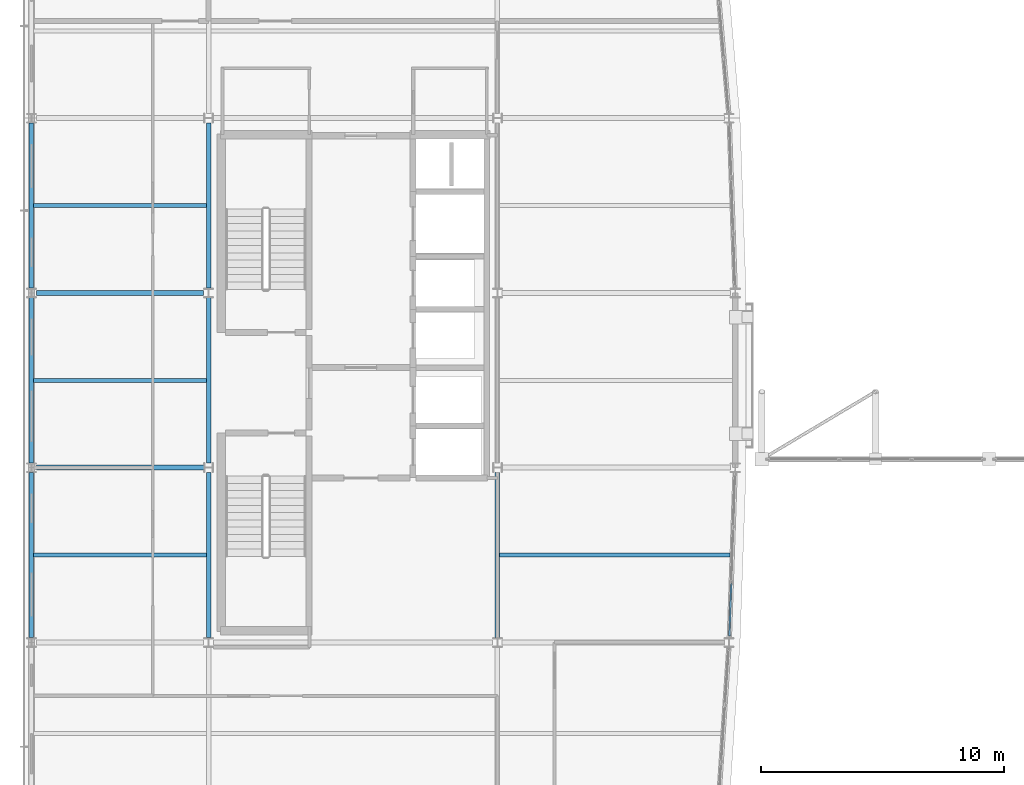
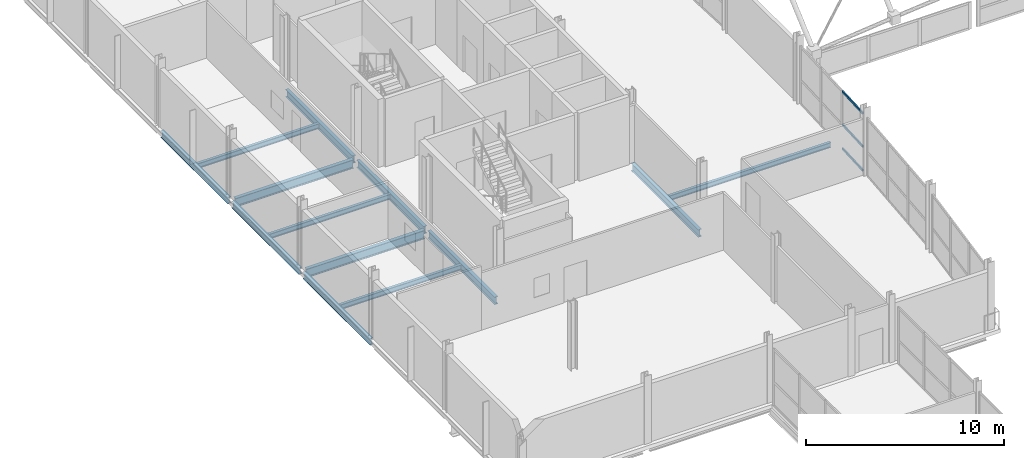
# One storey, part 24 of 60: 13 beams, 3 members, 1 element without a shape of its own.
"""IFC4 building model written with IfcOpenShell, lengths in metres."""

from ifc_helpers import new_model, si_unit, direction, frame, origin, origin_2d, place, context, subcontext, project, spatial, hollow_rectangle, i_section, extrude, material, layer, layer_set, material_profile, profile_set, type_object, element, aggregate, save


model = new_model("IFC4")

# Units and contexts
model_context = context("Model", 3, precision=1e-05, world=origin(), true_north=direction((0.0, 1.0)))
body_context = subcontext(model_context, "Body", "Model", "MODEL_VIEW")
ifc_project = project(units=[si_unit("LENGTHUNIT", "METRE"), si_unit("AREAUNIT", "SQUARE_METRE"), si_unit("VOLUMEUNIT", "CUBIC_METRE"), si_unit("PLANEANGLEUNIT", "RADIAN"), si_unit("MASSUNIT", "GRAM", prefix="KILO")], contexts=[model_context])

# Site, building, storey
site_placement = place(None, origin())
site = spatial("IfcSite", under=ifc_project, at=site_placement, CompositionType="ELEMENT")
building_placement = place(site_placement, origin())
building = spatial("IfcBuilding", under=site, at=building_placement, Name="Quillay Park Conservatory", CompositionType="ELEMENT")
storey_placement = place(building_placement, frame((0.0, 0.0, 9.89990234375)))
storey = spatial("IfcBuildingStorey", under=building, at=storey_placement, Name="L02", CompositionType="ELEMENT", Elevation=9.89990234375)

# Beams
ifc_material_1 = material(Name="Steel ASTM A992 Grade 50", Category="steel")
ifc_material_profile_1 = material_profile(ifc_material_1, i_section(OverallWidth=0.166015625, OverallDepth=0.31298828125, WebThickness=0.006591796875, FlangeThickness=0.01123046875, FilletRadius=0.010009765625, at=origin_2d()), Name="W310x45")
ifc_profile_set_1 = profile_set([ifc_material_profile_1], Name="Steel ASTM A992 Grade 50")
beam_type_1 = type_object("IfcBeamType", Name="COMPOSITE FLOOR JOIST W310 X45", PredefinedType="JOIST", material=ifc_profile_set_1)
beam_1_placement = place(storey_placement, frame((0.639892578125, 81.60009765625, -0.386474609375), z_axis=(1.0, 0.0, 0.0), x_axis=(0.0, 1.0, 0.0)))
element("IfcBeam", 1, at=beam_1_placement, inside=storey, type_object=beam_type_1, Name="L02 beam BM-J-0216", PredefinedType="JOIST", context=body_context, shape_type="SweptSolid", body=[
    extrude(i_section(OverallWidth=0.166015625, OverallDepth=0.31298828125, WebThickness=0.006591796875, FlangeThickness=0.01123046875, FilletRadius=0.010009765625, at=origin_2d()), origin(), (0.0, 0.0, 1.0), 7.114013671875),
])
beam_2_placement = place(storey_placement, frame((19.845947265625, 81.60009765625, -0.386474609375), z_axis=(1.0, 0.0, 0.0), x_axis=(0.0, 1.0, 0.0)))
element("IfcBeam", 2, at=beam_2_placement, inside=storey, type_object=beam_type_1, Name="L02 beam BM-J-0217", PredefinedType="JOIST", context=body_context, shape_type="SweptSolid", body=[
    extrude(i_section(OverallWidth=0.166015625, OverallDepth=0.31298828125, WebThickness=0.006591796875, FlangeThickness=0.01123046875, FilletRadius=0.010009765625, at=origin_2d()), origin(), (0.0, 0.0, 1.0), 9.489013671875),
])
for number, where, z_axis, x_axis, name in (
    (3, (0.639892578125, 88.800048828125, -0.386474609375), (1.0, 0.0, 0.0), (0.0, 1.0, 0.0), "L02 beam BM-J-0222"),
    (4, (0.639892578125, 96.0, -0.386474609375), (1.0, 0.0, 0.0), (0.0, 1.0, 0.0), "L02 beam BM-J-0228"),
):
    element("IfcBeam", number, at=place(storey_placement, frame(where, z_axis=z_axis, x_axis=x_axis)), inside=storey, type_object=beam_type_1, Name=name, PredefinedType="JOIST", context=body_context, shape_type="SweptSolid", body=[
        extrude(i_section(OverallWidth=0.166015625, OverallDepth=0.31298828125, WebThickness=0.006591796875, FlangeThickness=0.01123046875, FilletRadius=0.010009765625, at=origin_2d()), origin(), (0.0, 0.0, 1.0), 7.114013671875),
    ])

# Curtain wall, members
ifc_material_2 = material(Name="Thermally Broken Anodised Aluminium 6063-T6", Category="aluminium")
ifc_layer = layer(ifc_material_2, 0.179931640625)
ifc_layer_set = layer_set([ifc_layer], Name="UNITISED CURTAIN WALL TOWER (Thermally Broken Anodised Aluminium 6063-T6)")
curtain_wall_type = type_object("IfcCurtainWallType", Name="UNITISED CURTAIN WALL TOWER", PredefinedType="USERDEFINED", material=ifc_layer_set)
curtain_wall_placement = place(storey_placement, origin())
curtain_wall = element("IfcCurtainWall", 5, at=curtain_wall_placement, inside=storey, type_object=curtain_wall_type, Name="L02 Unitised Curtain Wall 021", ObjectType="UNITISED CURTAIN WALL", PredefinedType="USERDEFINED")
ifc_material_3 = material(Name="Thermally Broken Anodised Aluminium 6063-T6", Category="aluminium")
ifc_material_profile_2 = material_profile(ifc_material_3, hollow_rectangle(XDim=0.070068359375, YDim=0.1298828125, WallThickness=0.003173828125, at=origin_2d()), Name="AL70x130x3.2")
ifc_profile_set_2 = profile_set([ifc_material_profile_2], Name="Thermally Broken Anodised Aluminium 6063-T6")
member_type = type_object("IfcMemberType", Name="CURTAIN WALL TRANSOM 70 X130", PredefinedType="USERDEFINED", material=ifc_profile_set_2)
member_1_placement = place(storey_placement, frame((29.384521484375, 80.431640625, 0.03515625), z_axis=(-0.034761587249, -0.999395633396, 0.0), x_axis=(0.999395633396, -0.034761587249, 0.0)))
member_1 = element("IfcMember", 6, at=member_1_placement, type_object=member_type, Name="CW-T1 transom 3.1", ObjectType="TRANSOM", PredefinedType="USERDEFINED", context=body_context, shape_type="SweptSolid", body=[
    extrude(hollow_rectangle(XDim=0.070068359375, YDim=0.1298828125, WallThickness=0.003173828125, at=origin_2d()), origin(), (0.0, 0.0, 1.0), 2.1630859375),
])
member_2_placement = place(storey_placement, frame((29.384521484375, 80.431640625, 1.51171875), z_axis=(-0.034761587249, -0.999395633396, 0.0), x_axis=(0.999395633396, -0.034761587249, 0.0)))
member_2 = element("IfcMember", 7, at=member_2_placement, type_object=member_type, Name="CW-T1 transom 3.2", ObjectType="TRANSOM", PredefinedType="USERDEFINED", context=body_context, shape_type="SweptSolid", body=[
    extrude(hollow_rectangle(XDim=0.070068359375, YDim=0.1298828125, WallThickness=0.003173828125, at=origin_2d()), origin(), (0.0, 0.0, 1.0), 2.1630859375),
])
member_3_placement = place(storey_placement, frame((29.384521484375, 80.431640625, 3.564208984375), z_axis=(-0.034761587249, -0.999395633396, 0.0), x_axis=(0.999395633396, -0.034761587249, 0.0)))
member_3 = element("IfcMember", 8, at=member_3_placement, type_object=member_type, Name="CW-T1 transom 3.3", ObjectType="TRANSOM", PredefinedType="USERDEFINED", context=body_context, shape_type="SweptSolid", body=[
    extrude(hollow_rectangle(XDim=0.070068359375, YDim=0.1298828125, WallThickness=0.003173828125, at=origin_2d()), origin(), (0.0, 0.0, 1.0), 2.1630859375),
])
aggregate(curtain_wall, [member_1, member_2, member_3])

# Beams
ifc_material_4 = material(Name="Steel ASTM A992 Grade 50", Category="steel")
ifc_material_profile_3 = material_profile(ifc_material_4, i_section(OverallWidth=0.179931640625, OverallDepth=0.4130859375, WebThickness=0.009765625, FlangeThickness=0.01611328125, FilletRadius=0.011962890625, at=origin_2d()), Name="W410x74")
ifc_profile_set_3 = profile_set([ifc_material_profile_3], Name="Steel ASTM A992 Grade 50")
beam_type_2 = type_object("IfcBeamType", Name="PERIMETER SPANDREL BEAM W410 X74", PredefinedType="SPANDREL", material=ifc_profile_set_3)
beam_3_placement = place(storey_placement, frame((0.550048828125, 78.196533203125, -0.4365234375), z_axis=(0.0, 1.0, 0.0), x_axis=(-1.0, 0.0, 0.0)))
element("IfcBeam", 9, at=beam_3_placement, inside=storey, type_object=beam_type_2, Name="L02 beam BM-SPW-0212", PredefinedType="SPANDREL", context=body_context, shape_type="SweptSolid", body=[
    extrude(i_section(OverallWidth=0.179931640625, OverallDepth=0.4130859375, WebThickness=0.009765625, FlangeThickness=0.01611328125, FilletRadius=0.011962890625, at=origin_2d()), origin(), (0.0, 0.0, 1.0), 6.806884765625),
])
for number, where, z_axis, x_axis, name in (
    (10, (0.550048828125, 85.396484375, -0.4365234375), (0.0, 1.0, 0.0), (-1.0, 0.0, 0.0), "L02 beam BM-SPW-0218"),
    (11, (0.550048828125, 92.596435546875, -0.4365234375), (0.0, 1.0, 0.0), (-1.0, 0.0, 0.0), "L02 beam BM-SPW-0224"),
):
    element("IfcBeam", number, at=place(storey_placement, frame(where, z_axis=z_axis, x_axis=x_axis)), inside=storey, type_object=beam_type_2, Name=name, PredefinedType="SPANDREL", context=body_context, shape_type="SweptSolid", body=[
        extrude(i_section(OverallWidth=0.179931640625, OverallDepth=0.4130859375, WebThickness=0.009765625, FlangeThickness=0.01611328125, FilletRadius=0.011962890625, at=origin_2d()), origin(), (0.0, 0.0, 1.0), 6.80712890625),
    ])
ifc_material_5 = material(Name="Steel ASTM A992 Grade 50", Category="steel")
ifc_material_profile_4 = material_profile(ifc_material_5, i_section(OverallWidth=0.19189453125, OverallDepth=0.462890625, WebThickness=0.010498046875, FlangeThickness=0.017578125, FilletRadius=0.012939453125, at=origin_2d()), Name="W460x89")
ifc_profile_set_4 = profile_set([ifc_material_profile_4], Name="Steel ASTM A992 Grade 50")
beam_type_3 = type_object("IfcBeamType", Name="PRIMARY FLOOR GIRDER W460 X89", PredefinedType="BEAM", material=ifc_profile_set_4)
for number, where, z_axis, x_axis, name in (
    (12, (7.85009765625, 78.196533203125, -0.46142578125), (0.0, 1.0, 0.0), (-1.0, 0.0, 0.0), "L02 beam BM-GNS-0214"),
    (13, (19.75, 78.196533203125, -0.46142578125), (0.0, 1.0, 0.0), (-1.0, 0.0, 0.0), "L02 beam BM-GNS-0215"),
):
    element("IfcBeam", number, at=place(storey_placement, frame(where, z_axis=z_axis, x_axis=x_axis)), inside=storey, type_object=beam_type_3, Name=name, PredefinedType="BEAM", context=body_context, shape_type="SweptSolid", body=[
        extrude(i_section(OverallWidth=0.19189453125, OverallDepth=0.462890625, WebThickness=0.010498046875, FlangeThickness=0.017578125, FilletRadius=0.012939453125, at=origin_2d()), origin(), (0.0, 0.0, 1.0), 6.803955078125),
    ])
beam_4_placement = place(storey_placement, frame((7.85009765625, 85.3994140625, -0.46142578125), z_axis=(0.0, 1.0, 0.0), x_axis=(-1.0, 0.0, 0.0)))
element("IfcBeam", 14, at=beam_4_placement, inside=storey, type_object=beam_type_3, Name="L02 beam BM-GNS-0220", PredefinedType="BEAM", context=body_context, shape_type="SweptSolid", body=[
    extrude(i_section(OverallWidth=0.19189453125, OverallDepth=0.462890625, WebThickness=0.010498046875, FlangeThickness=0.017578125, FilletRadius=0.012939453125, at=origin_2d()), origin(), (0.0, 0.0, 1.0), 6.80419921875),
])
beam_5_placement = place(storey_placement, frame((7.85009765625, 92.596435546875, -0.46142578125), z_axis=(0.0, 1.0, 0.0), x_axis=(-1.0, 0.0, 0.0)))
element("IfcBeam", 15, at=beam_5_placement, inside=storey, type_object=beam_type_3, Name="L02 beam BM-GNS-0226", PredefinedType="BEAM", context=body_context, shape_type="SweptSolid", body=[
    extrude(i_section(OverallWidth=0.19189453125, OverallDepth=0.462890625, WebThickness=0.010498046875, FlangeThickness=0.017578125, FilletRadius=0.012939453125, at=origin_2d()), origin(), (0.0, 0.0, 1.0), 6.803955078125),
])
ifc_material_6 = material(Name="Steel ASTM A992 Grade 50", Category="steel")
ifc_material_profile_5 = material_profile(ifc_material_6, i_section(OverallWidth=0.2109375, OverallDepth=0.5390625, WebThickness=0.01171875, FlangeThickness=0.018798828125, FilletRadius=0.013916015625, at=origin_2d()), Name="W530x109")
ifc_profile_set_5 = profile_set([ifc_material_profile_5], Name="Steel ASTM A992 Grade 50")
beam_type_4 = type_object("IfcBeamType", Name="PRIMARY FLOOR GIRDER W530 X109", PredefinedType="BEAM", material=ifc_profile_set_5)
beam_6_placement = place(storey_placement, frame((0.74951171875, 85.199951171875, -0.49951171875), z_axis=(1.0, 0.0, 0.0), x_axis=(0.0, 1.0, 0.0)))
element("IfcBeam", 16, at=beam_6_placement, inside=storey, type_object=beam_type_4, Name="L02 beam BM-G-0185", PredefinedType="BEAM", context=body_context, shape_type="SweptSolid", body=[
    extrude(i_section(OverallWidth=0.2109375, OverallDepth=0.5390625, WebThickness=0.01171875, FlangeThickness=0.018798828125, FilletRadius=0.013916015625, at=origin_2d()), origin(), (0.0, 0.0, 1.0), 6.904052734375),
])
beam_7_placement = place(storey_placement, frame((0.74951171875, 92.39990234375, -0.49951171875), z_axis=(1.0, 0.0, 0.0), x_axis=(0.0, 1.0, 0.0)))
element("IfcBeam", 17, at=beam_7_placement, inside=storey, type_object=beam_type_4, Name="L02 beam BM-G-0187", PredefinedType="BEAM", context=body_context, shape_type="SweptSolid", body=[
    extrude(i_section(OverallWidth=0.2109375, OverallDepth=0.5390625, WebThickness=0.01171875, FlangeThickness=0.018798828125, FilletRadius=0.013916015625, at=origin_2d()), origin(), (0.0, 0.0, 1.0), 6.90087890625),
])

save(model, "model.ifc")
